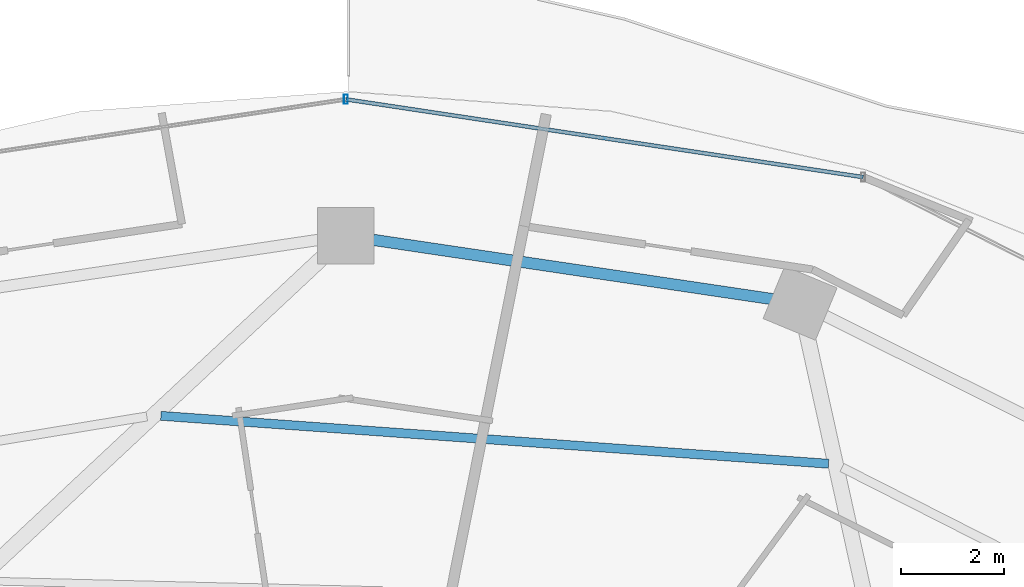
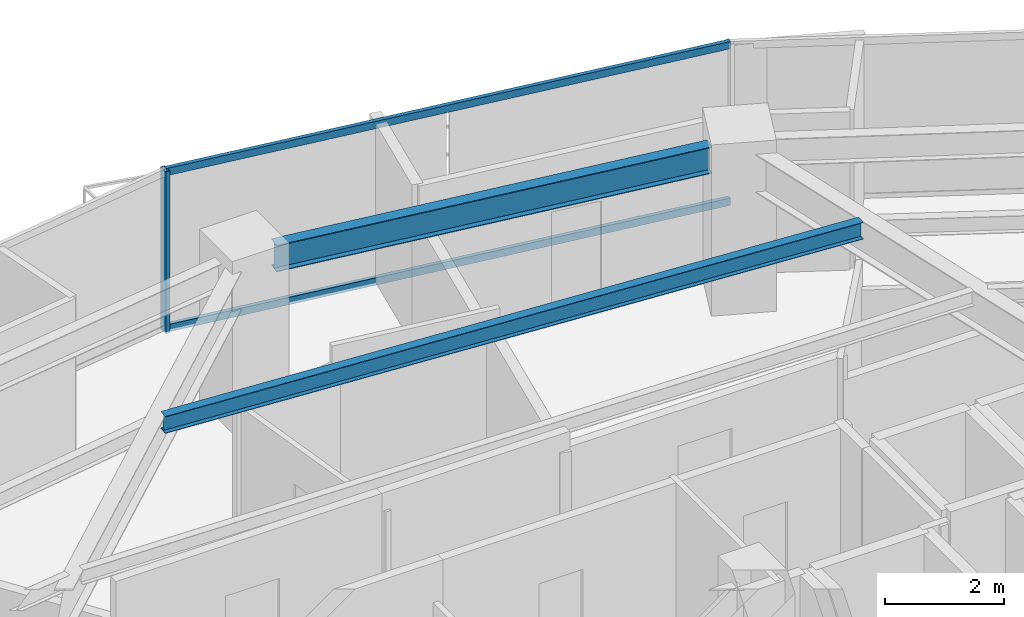
# One storey, part 19 of 29: 3 members, 2 beams, 1 element without a shape of its own.
"""IFC4 building model written with IfcOpenShell, lengths in metres."""

from ifc_helpers import new_model, si_unit, direction, frame, origin, origin_2d, place, context, subcontext, project, spatial, hollow_rectangle, i_section, extrude, material, material_profile, profile_set, type_object, element, aggregate, save


model = new_model("IFC4")

# Units and contexts
model_context = context("Model", 3, precision=1e-05, world=origin(), true_north=direction((0.0, 1.0)))
body_context = subcontext(model_context, "Body", "Model", "MODEL_VIEW")
ifc_project = project(units=[si_unit("LENGTHUNIT", "METRE"), si_unit("AREAUNIT", "SQUARE_METRE"), si_unit("VOLUMEUNIT", "CUBIC_METRE"), si_unit("PLANEANGLEUNIT", "RADIAN"), si_unit("MASSUNIT", "GRAM", prefix="KILO")], contexts=[model_context])

# Site, building, storey
site_placement = place(None, origin())
site = spatial("IfcSite", under=ifc_project, at=site_placement, CompositionType="ELEMENT")
building_placement = place(site_placement, origin())
building = spatial("IfcBuilding", under=site, at=building_placement, Name="Vorneva Point Tower", CompositionType="ELEMENT")
storey_placement = place(building_placement, frame((0.0, 0.0, 85.800048828125)))
storey = spatial("IfcBuildingStorey", under=building, at=storey_placement, Name="L22", CompositionType="ELEMENT", Elevation=85.800048828125)

# Beams
ifc_material_1 = material(Name="Steel S355", Category="steel")
ifc_material_profile_1 = material_profile(ifc_material_1, i_section(OverallWidth=0.174072265625, OverallDepth=0.345947265625, WebThickness=0.006103515625, FlangeThickness=0.009033203125, at=origin_2d()), Name="35B1")
ifc_profile_set_1 = profile_set([ifc_material_profile_1], Name="Steel S355")
beam_type_1 = type_object("IfcBeamType", Name="BM-SEC-35B1", PredefinedType="BEAM", material=ifc_profile_set_1)
beam_1_placement = place(storey_placement, frame((47.373291015625, 38.773681640625, 3.06689453125), z_axis=(-0.997434711896, 0.07158208928, 0.0), x_axis=(-0.07158208928, -0.997434711896, 0.0)))
element("IfcBeam", 1, at=beam_1_placement, inside=storey, type_object=beam_type_1, Name="L22 Secondary Floor Beam 1.04", PredefinedType="BEAM", context=body_context, shape_type="SweptSolid", body=[
    extrude(i_section(OverallWidth=0.174072265625, OverallDepth=0.345947265625, WebThickness=0.006103515625, FlangeThickness=0.009033203125, at=origin_2d()), origin(), (0.0, 0.0, 1.0), 12.998046875),
])
ifc_material_profile_2 = material_profile(ifc_material_1, i_section(OverallWidth=0.219970703125, OverallDepth=0.54296875, WebThickness=0.009521484375, FlangeThickness=0.013427734375, at=origin_2d()), Name="55B1")
ifc_profile_set_2 = profile_set([ifc_material_profile_2], Name="Steel S355")
beam_type_2 = type_object("IfcBeamType", Name="BM-SPN-55B1", PredefinedType="SPANDREL", material=ifc_profile_set_2)
beam_2_placement = place(storey_placement, frame((46.291748046875, 41.96923828125, 2.968505859375), z_axis=(-0.989164507783, 0.146811363806, 0.0), x_axis=(-0.146811363806, -0.989164507783, 0.0)))
element("IfcBeam", 2, at=beam_2_placement, inside=storey, type_object=beam_type_2, Name="L22 Perimeter Spandrel Ring Beam 04", PredefinedType="SPANDREL", context=body_context, shape_type="SweptSolid", body=[
    extrude(i_section(OverallWidth=0.219970703125, OverallDepth=0.54296875, WebThickness=0.009521484375, FlangeThickness=0.013427734375, at=origin_2d()), origin(), (0.0, 0.0, 1.0), 7.847412109375),
])

# Curtain wall, members
ifc_material_2 = material(Name="Pale anodised aluminium", Category="aluminium")
curtain_wall_type = type_object("IfcCurtainWallType", Name="CW-HTL-SYS", PredefinedType="NOTDEFINED", material=ifc_material_2)
curtain_wall_placement = place(storey_placement, origin())
curtain_wall = element("IfcCurtainWall", 3, at=curtain_wall_placement, inside=storey, type_object=curtain_wall_type, Name="L22 Unitised Curtain Wall CW-L22-R01", PredefinedType="NOTDEFINED")
ifc_material_profile_3 = material_profile(ifc_material_2, hollow_rectangle(XDim=0.074951171875, YDim=0.179931640625, WallThickness=0.00390625, at=origin_2d()), Name="AL-MUL 180x75x4")
ifc_profile_set_3 = profile_set([ifc_material_profile_3], Name="Pale anodised aluminium")
member_type_1 = type_object("IfcMemberType", Name="CW-MUL-180", PredefinedType="MULLION", material=ifc_profile_set_3)
member_1_placement = place(storey_placement, frame((38.0, 45.85009765625, -0.0400390625), z_axis=(0.0, 0.0, 1.0), x_axis=(1.0, 0.0, 0.0)))
member_1 = element("IfcMember", 4, at=member_1_placement, type_object=member_type_1, Name="CW-L22-R01 Mullion 04", PredefinedType="MULLION", context=body_context, shape_type="SweptSolid", body=[
    extrude(hollow_rectangle(XDim=0.074951171875, YDim=0.179931640625, WallThickness=0.00390625, at=origin_2d()), origin(), (0.0, 0.0, 1.0), 3.31005859375),
])
ifc_material_profile_4 = material_profile(ifc_material_2, hollow_rectangle(XDim=0.074951171875, YDim=0.14990234375, WallThickness=0.00390625, at=origin_2d()), Name="AL-TRN 150x75x4")
ifc_profile_set_4 = profile_set([ifc_material_profile_4], Name="Pale anodised aluminium")
member_type_2 = type_object("IfcMemberType", Name="CW-TRN-150", PredefinedType="USERDEFINED", material=ifc_profile_set_4)
member_2_placement = place(storey_placement, frame((48.04541015625, 44.339111328125, 0.02001953125), z_axis=(-0.988875982167, 0.148742367512, 0.0), x_axis=(-0.148742367512, -0.988875982167, 0.0)))
member_2 = element("IfcMember", 5, at=member_2_placement, type_object=member_type_2, Name="CW-L22-R01 Transom 03.1", ObjectType="TRANSOM", PredefinedType="USERDEFINED", context=body_context, shape_type="SweptSolid", body=[
    extrude(hollow_rectangle(XDim=0.074951171875, YDim=0.14990234375, WallThickness=0.00390625, at=origin_2d()), origin(), (0.0, 0.0, 1.0), 10.158447265625),
])
member_3_placement = place(storey_placement, frame((48.04541015625, 44.339111328125, 3.219970703125), z_axis=(-0.988875982167, 0.148742367512, 0.0), x_axis=(-0.148742367512, -0.988875982167, 0.0)))
member_3 = element("IfcMember", 6, at=member_3_placement, type_object=member_type_2, Name="CW-L22-R01 Transom 03.2", ObjectType="TRANSOM", PredefinedType="USERDEFINED", context=body_context, shape_type="SweptSolid", body=[
    extrude(hollow_rectangle(XDim=0.074951171875, YDim=0.14990234375, WallThickness=0.00390625, at=origin_2d()), origin(), (0.0, 0.0, 1.0), 10.158447265625),
])
aggregate(curtain_wall, [member_1, member_2, member_3])

save(model, "model.ifc")
